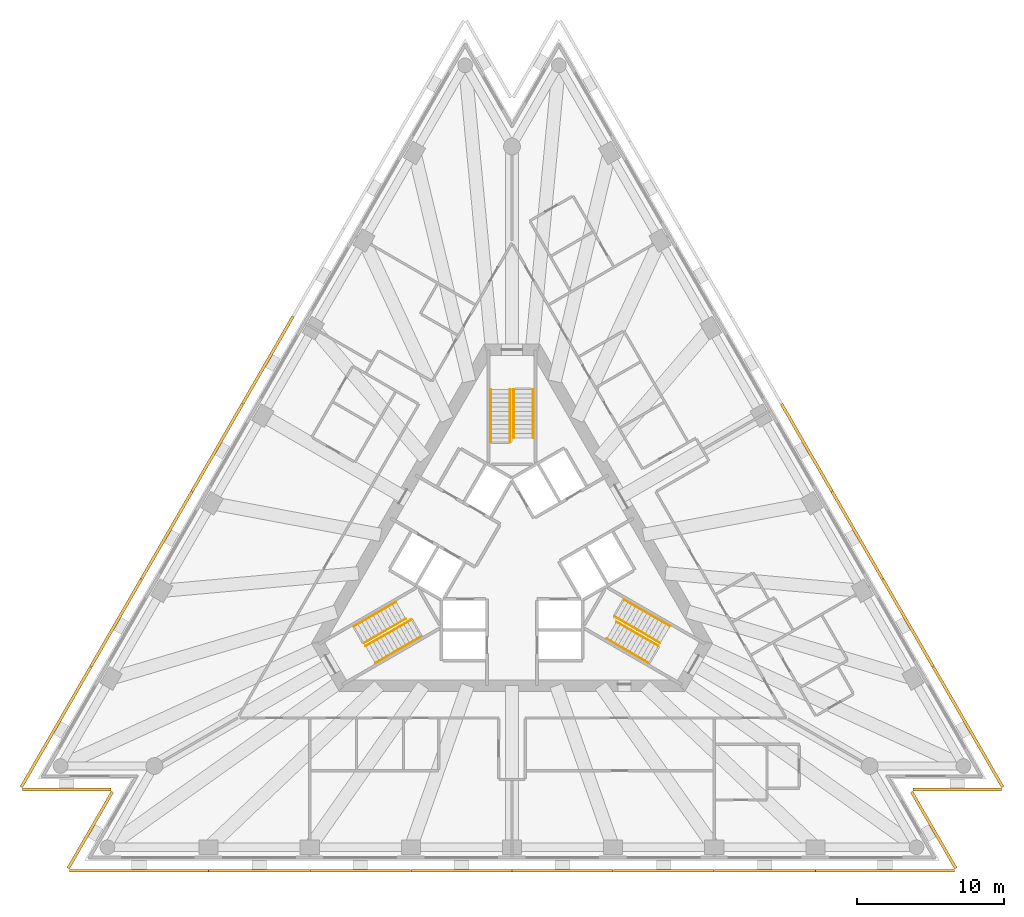
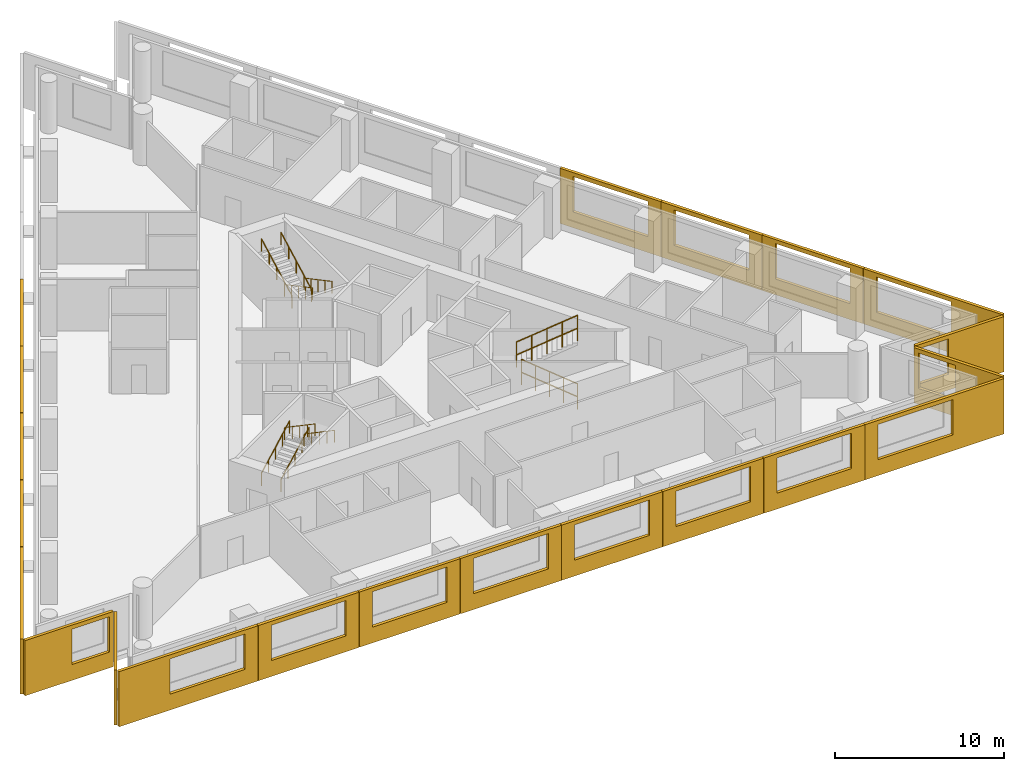
# One storey, part 9 of 10: 21 shading devices, 12 railings, 3 elements without a shape of their own.
"""IFC4 building model written with IfcOpenShell, lengths in metres."""

from ifc_helpers import new_model, si_unit, direction, frame, origin, origin_2d, place, context, subcontext, project, spatial, polyline, circle, outline, extrude, material, layer, layer_set, type_object, element, aggregate, save


model = new_model("IFC4")

# Units and contexts
model_context = context("Model", 3, precision=1e-05, world=origin(), true_north=direction((0.0, 1.0)))
body_context = subcontext(model_context, "Body", "Model", "MODEL_VIEW")
ifc_project = project(units=[si_unit("LENGTHUNIT", "METRE"), si_unit("AREAUNIT", "SQUARE_METRE"), si_unit("VOLUMEUNIT", "CUBIC_METRE"), si_unit("PLANEANGLEUNIT", "RADIAN"), si_unit("MASSUNIT", "GRAM", prefix="KILO")], contexts=[model_context])

# Site, building, storey
site_placement = place(None, origin())
site = spatial("IfcSite", under=ifc_project, at=site_placement, CompositionType="ELEMENT")
building_placement = place(site_placement, origin())
building = spatial("IfcBuilding", under=site, at=building_placement, Name="Triada Interchange Tower", CompositionType="ELEMENT")
storey_placement = place(building_placement, frame((0.0, 0.0, 124.300048828125)))
storey = spatial("IfcBuildingStorey", under=building, at=storey_placement, Name="L28", CompositionType="ELEMENT", Elevation=124.300048828125)

# Shading devices
ifc_material_1 = material(Name="Concrete C50/60 precast", Category="concrete")
ifc_layer_1 = layer(ifc_material_1, 0.02001953125, Name="Exposed aggregate face")
ifc_layer_2 = layer(ifc_material_1, 0.179931640625, Name="Precast concrete screen")
ifc_layer_set = layer_set([ifc_layer_1, ifc_layer_2], Name="Outer skin screen panel 3980")
shading_device_type = type_object("IfcShadingDeviceType", Name="Outer skin screen panel 3980", PredefinedType="SHUTTER", material=ifc_layer_set)
shading_device_1_placement = place(storey_placement, frame((-14.85009765625, 16.527099609375, -0.2900390625), z_axis=(0.0, 0.0, 1.0), x_axis=(-0.500025633803, -0.866010603596, 0.0)))
element("IfcShadingDevice", 1, at=shading_device_1_placement, inside=storey, type_object=shading_device_type, Name="Outer skin screen panel L28 04", PredefinedType="SHUTTER", context=body_context, shape_type="SweptSolid", body=[
    extrude(outline(polyline([(0.0, 0.0), (6.877685546875, 0.0), (6.877685546875, 3.97998046875), (0.0, 3.97998046875), (0.0, 0.0)]), holes=[polyline([(0.888916015625, 1.139892578125), (0.888916015625, 3.68994140625), (5.989013671875, 3.68994140625), (5.989013671875, 1.139892578125), (0.888916015625, 1.139892578125)])]), frame((0.0, 0.0, 0.0), z_axis=(0.0, -1.0, 0.0), x_axis=(1.0, 0.0, 0.0)), (0.0, 0.0, 1.0), 0.199951171875),
])
shading_device_2_placement = place(storey_placement, frame((-18.299072265625, 10.552978515625, -0.2900390625), z_axis=(0.0, 0.0, 1.0), x_axis=(-0.499919131929, -0.866072087953, 0.0)))
element("IfcShadingDevice", 2, at=shading_device_2_placement, inside=storey, type_object=shading_device_type, Name="Outer skin screen panel L28 05", PredefinedType="SHUTTER", context=body_context, shape_type="SweptSolid", body=[
    extrude(outline(polyline([(0.0, 0.0), (6.877197265625, 0.0), (6.877197265625, 3.97998046875), (0.0, 3.97998046875), (0.0, 0.0)]), holes=[polyline([(0.88916015625, 1.139892578125), (0.88916015625, 3.68994140625), (5.989013671875, 3.68994140625), (5.989013671875, 1.139892578125), (0.88916015625, 1.139892578125)])]), frame((0.0, 0.0, 0.0), z_axis=(0.0, -1.0, 0.0), x_axis=(1.0, 0.0, 0.0)), (0.0, 0.0, 1.0), 0.199951171875),
])
shading_device_3_placement = place(storey_placement, frame((-21.7470703125, 4.580078125, -0.2900390625), z_axis=(0.0, 0.0, 1.0), x_axis=(-0.499964153563, -0.866046098746, 0.0)))
element("IfcShadingDevice", 3, at=shading_device_3_placement, inside=storey, type_object=shading_device_type, Name="Outer skin screen panel L28 06", PredefinedType="SHUTTER", context=body_context, shape_type="SweptSolid", body=[
    extrude(outline(polyline([(0.0, 0.0), (6.87841796875, 0.0), (6.87841796875, 3.97998046875), (0.0, 3.97998046875), (0.0, 0.0)]), holes=[polyline([(0.88916015625, 1.139892578125), (0.88916015625, 3.68994140625), (5.9892578125, 3.68994140625), (5.9892578125, 1.139892578125), (0.88916015625, 1.139892578125)])]), frame((0.0, 0.0, 0.0), z_axis=(0.0, -1.0, 0.0), x_axis=(1.0, 0.0, 0.0)), (0.0, 0.0, 1.0), 0.199951171875),
])
shading_device_4_placement = place(storey_placement, frame((-25.196044921875, -1.39404296875, -0.2900390625), z_axis=(0.0, 0.0, 1.0), x_axis=(-0.499964153563, -0.866046098746, 0.0)))
element("IfcShadingDevice", 4, at=shading_device_4_placement, inside=storey, type_object=shading_device_type, Name="Outer skin screen panel L28 07", PredefinedType="SHUTTER", context=body_context, shape_type="SweptSolid", body=[
    extrude(outline(polyline([(0.0, 0.0), (6.87841796875, 0.0), (6.87841796875, 3.97998046875), (0.0, 3.97998046875), (0.0, 0.0)]), holes=[polyline([(0.889404296875, 1.139892578125), (0.889404296875, 3.68994140625), (5.989501953125, 3.68994140625), (5.989501953125, 1.139892578125), (0.889404296875, 1.139892578125)])]), frame((0.0, 0.0, 0.0), z_axis=(0.0, -1.0, 0.0), x_axis=(1.0, 0.0, 0.0)), (0.0, 0.0, 1.0), 0.199951171875),
])
shading_device_5_placement = place(storey_placement, frame((-28.64501953125, -7.367919921875, -0.2900390625), z_axis=(0.0, 0.0, 1.0), x_axis=(-0.500021309151, -0.866013100591, 0.0)))
element("IfcShadingDevice", 5, at=shading_device_5_placement, inside=storey, type_object=shading_device_type, Name="Outer skin screen panel L28 08", PredefinedType="SHUTTER", context=body_context, shape_type="SweptSolid", body=[
    extrude(outline(polyline([(0.0, 0.0), (9.4755859375, 0.0), (9.4755859375, 3.97998046875), (0.0, 3.97998046875), (0.0, 0.0)]), holes=[polyline([(0.888427734375, 1.139892578125), (0.888427734375, 3.68994140625), (5.988525390625, 3.68994140625), (5.988525390625, 1.139892578125), (0.888427734375, 1.139892578125)])]), frame((0.0, 0.0, 0.0), z_axis=(0.0, -1.0, 0.0), x_axis=(1.0, 0.0, 0.0)), (0.0, 0.0, 1.0), 0.199951171875),
])
shading_device_6_placement = place(storey_placement, frame((-33.3779296875, -15.5830078125, -0.2900390625), z_axis=(0.0, 0.0, 1.0), x_axis=(1.0, 0.0, 0.0)))
element("IfcShadingDevice", 6, at=shading_device_6_placement, inside=storey, type_object=shading_device_type, Name="Outer skin screen panel L28 09", PredefinedType="SHUTTER", context=body_context, shape_type="SweptSolid", body=[
    extrude(outline(polyline([(0.0, 0.0), (6.031982421875, 0.0), (6.031982421875, 3.97998046875), (0.0, 3.97998046875), (0.0, 0.0)]), holes=[polyline([(3.175048828125, 1.139892578125), (3.175048828125, 3.68994140625), (5.73193359375, 3.68994140625), (5.73193359375, 1.139892578125), (3.175048828125, 1.139892578125)])]), frame((0.0, 0.0, 0.0), z_axis=(0.0, -1.0, 0.0), x_axis=(1.0, 0.0, 0.0)), (0.0, 0.0, 1.0), 0.199951171875),
])
shading_device_7_placement = place(storey_placement, frame((-27.16796875, -15.89208984375, -0.2900390625), z_axis=(0.0, 0.0, 1.0), x_axis=(-0.500083355775, -0.865977272956, 0.0)))
element("IfcShadingDevice", 7, at=shading_device_7_placement, inside=storey, type_object=shading_device_type, Name="Outer skin screen panel L28 10", PredefinedType="SHUTTER", context=body_context, shape_type="SweptSolid", body=[
    extrude(outline(polyline([(0.0, 0.0), (6.03125, 0.0), (6.03125, 3.97998046875), (0.0, 3.97998046875), (0.0, 0.0)]), holes=[polyline([(0.300048828125, 1.139892578125), (0.300048828125, 3.68994140625), (2.2578125, 3.68994140625), (2.2578125, 1.139892578125), (0.300048828125, 1.139892578125)])]), frame((0.0, 0.0, 0.0), z_axis=(0.0, -1.0, 0.0), x_axis=(1.0, 0.0, 0.0)), (0.0, 0.0, 1.0), 0.199951171875),
])
shading_device_8_placement = place(storey_placement, frame((-30.178955078125, -21.1240234375, -0.2900390625), z_axis=(0.0, 0.0, 1.0), x_axis=(1.0, 0.0, 0.0)))
element("IfcShadingDevice", 8, at=shading_device_8_placement, inside=storey, type_object=shading_device_type, Name="Outer skin screen panel L28 11", PredefinedType="SHUTTER", context=body_context, shape_type="SweptSolid", body=[
    extrude(outline(polyline([(0.0, 0.0), (9.47607421875, 0.0), (9.47607421875, 3.97998046875), (0.0, 3.97998046875), (0.0, 0.0)]), holes=[polyline([(3.487060546875, 1.139892578125), (3.487060546875, 3.68994140625), (8.5869140625, 3.68994140625), (8.5869140625, 1.139892578125), (3.487060546875, 1.139892578125)])]), frame((0.0, 0.0, 0.0), z_axis=(0.0, -1.0, 0.0), x_axis=(1.0, 0.0, 0.0)), (0.0, 0.0, 1.0), 0.199951171875),
])
shading_device_9_placement = place(storey_placement, frame((-20.68310546875, -21.1240234375, -0.2900390625), z_axis=(0.0, 0.0, 1.0), x_axis=(1.0, 0.0, 0.0)))
element("IfcShadingDevice", 9, at=shading_device_9_placement, inside=storey, type_object=shading_device_type, Name="Outer skin screen panel L28 12", PredefinedType="SHUTTER", context=body_context, shape_type="SweptSolid", body=[
    extrude(outline(polyline([(0.0, 0.0), (6.877197265625, 0.0), (6.877197265625, 3.97998046875), (0.0, 3.97998046875), (0.0, 0.0)]), holes=[polyline([(0.889404296875, 1.139892578125), (0.889404296875, 3.68994140625), (5.9892578125, 3.68994140625), (5.9892578125, 1.139892578125), (0.889404296875, 1.139892578125)])]), frame((0.0, 0.0, 0.0), z_axis=(0.0, -1.0, 0.0), x_axis=(1.0, 0.0, 0.0)), (0.0, 0.0, 1.0), 0.199951171875),
])
shading_device_10_placement = place(storey_placement, frame((-13.785888671875, -21.1240234375, -0.2900390625), z_axis=(0.0, 0.0, 1.0), x_axis=(1.0, 0.0, 0.0)))
element("IfcShadingDevice", 10, at=shading_device_10_placement, inside=storey, type_object=shading_device_type, Name="Outer skin screen panel L28 13", PredefinedType="SHUTTER", context=body_context, shape_type="SweptSolid", body=[
    extrude(outline(polyline([(0.0, 0.0), (6.8779296875, 0.0), (6.8779296875, 3.97998046875), (0.0, 3.97998046875), (0.0, 0.0)]), holes=[polyline([(0.888427734375, 1.139892578125), (0.888427734375, 3.68994140625), (5.988525390625, 3.68994140625), (5.988525390625, 1.139892578125), (0.888427734375, 1.139892578125)])]), frame((0.0, 0.0, 0.0), z_axis=(0.0, -1.0, 0.0), x_axis=(1.0, 0.0, 0.0)), (0.0, 0.0, 1.0), 0.199951171875),
])
shading_device_11_placement = place(storey_placement, frame((-6.887939453125, -21.1240234375, -0.2900390625), z_axis=(0.0, 0.0, 1.0), x_axis=(1.0, 0.0, 0.0)))
element("IfcShadingDevice", 11, at=shading_device_11_placement, inside=storey, type_object=shading_device_type, Name="Outer skin screen panel L28 14", PredefinedType="SHUTTER", context=body_context, shape_type="SweptSolid", body=[
    extrude(outline(polyline([(0.0, 0.0), (6.8779296875, 0.0), (6.8779296875, 3.97998046875), (0.0, 3.97998046875), (0.0, 0.0)]), holes=[polyline([(0.888916015625, 1.139892578125), (0.888916015625, 3.68994140625), (5.98876953125, 3.68994140625), (5.98876953125, 1.139892578125), (0.888916015625, 1.139892578125)])]), frame((0.0, 0.0, 0.0), z_axis=(0.0, -1.0, 0.0), x_axis=(1.0, 0.0, 0.0)), (0.0, 0.0, 1.0), 0.199951171875),
])
shading_device_12_placement = place(storey_placement, frame((0.010009765625, -21.1240234375, -0.2900390625), z_axis=(0.0, 0.0, 1.0), x_axis=(1.0, 0.0, 0.0)))
element("IfcShadingDevice", 12, at=shading_device_12_placement, inside=storey, type_object=shading_device_type, Name="Outer skin screen panel L28 15", PredefinedType="SHUTTER", context=body_context, shape_type="SweptSolid", body=[
    extrude(outline(polyline([(0.0, 0.0), (6.8779296875, 0.0), (6.8779296875, 3.97998046875), (0.0, 3.97998046875), (0.0, 0.0)]), holes=[polyline([(0.888916015625, 1.139892578125), (0.888916015625, 3.68994140625), (5.989013671875, 3.68994140625), (5.989013671875, 1.139892578125), (0.888916015625, 1.139892578125)])]), frame((0.0, 0.0, 0.0), z_axis=(0.0, -1.0, 0.0), x_axis=(1.0, 0.0, 0.0)), (0.0, 0.0, 1.0), 0.199951171875),
])
shading_device_13_placement = place(storey_placement, frame((6.907958984375, -21.1240234375, -0.2900390625), z_axis=(0.0, 0.0, 1.0), x_axis=(1.0, 0.0, 0.0)))
element("IfcShadingDevice", 13, at=shading_device_13_placement, inside=storey, type_object=shading_device_type, Name="Outer skin screen panel L28 16", PredefinedType="SHUTTER", context=body_context, shape_type="SweptSolid", body=[
    extrude(outline(polyline([(0.0, 0.0), (6.876953125, 0.0), (6.876953125, 3.97998046875), (0.0, 3.97998046875), (0.0, 0.0)]), holes=[polyline([(0.88916015625, 1.139892578125), (0.88916015625, 3.68994140625), (5.9892578125, 3.68994140625), (5.9892578125, 1.139892578125), (0.88916015625, 1.139892578125)])]), frame((0.0, 0.0, 0.0), z_axis=(0.0, -1.0, 0.0), x_axis=(1.0, 0.0, 0.0)), (0.0, 0.0, 1.0), 0.199951171875),
])
shading_device_14_placement = place(storey_placement, frame((13.804931640625, -21.1240234375, -0.2900390625), z_axis=(0.0, 0.0, 1.0), x_axis=(1.0, 0.0, 0.0)))
element("IfcShadingDevice", 14, at=shading_device_14_placement, inside=storey, type_object=shading_device_type, Name="Outer skin screen panel L28 17", PredefinedType="SHUTTER", context=body_context, shape_type="SweptSolid", body=[
    extrude(outline(polyline([(0.0, 0.0), (6.878173828125, 0.0), (6.878173828125, 3.97998046875), (0.0, 3.97998046875), (0.0, 0.0)]), holes=[polyline([(0.888427734375, 1.139892578125), (0.888427734375, 3.68994140625), (5.988525390625, 3.68994140625), (5.988525390625, 1.139892578125), (0.888427734375, 1.139892578125)])]), frame((0.0, 0.0, 0.0), z_axis=(0.0, -1.0, 0.0), x_axis=(1.0, 0.0, 0.0)), (0.0, 0.0, 1.0), 0.199951171875),
])
shading_device_15_placement = place(storey_placement, frame((20.702880859375, -21.1240234375, -0.2900390625), z_axis=(0.0, 0.0, 1.0), x_axis=(1.0, 0.0, 0.0)))
element("IfcShadingDevice", 15, at=shading_device_15_placement, inside=storey, type_object=shading_device_type, Name="Outer skin screen panel L28 18", PredefinedType="SHUTTER", context=body_context, shape_type="SweptSolid", body=[
    extrude(outline(polyline([(0.0, 0.0), (9.47607421875, 0.0), (9.47607421875, 3.97998046875), (0.0, 3.97998046875), (0.0, 0.0)]), holes=[polyline([(0.888916015625, 1.139892578125), (0.888916015625, 3.68994140625), (5.98876953125, 3.68994140625), (5.98876953125, 1.139892578125), (0.888916015625, 1.139892578125)])]), frame((0.0, 0.0, 0.0), z_axis=(0.0, -1.0, 0.0), x_axis=(1.0, 0.0, 0.0)), (0.0, 0.0, 1.0), 0.199951171875),
])
shading_device_16_placement = place(storey_placement, frame((30.18408203125, -21.114990234375, -0.2900390625), z_axis=(0.0, 0.0, 1.0), x_axis=(-0.500083355775, 0.865977272956, 0.0)))
element("IfcShadingDevice", 16, at=shading_device_16_placement, inside=storey, type_object=shading_device_type, Name="Outer skin screen panel L28 19", PredefinedType="SHUTTER", context=body_context, shape_type="SweptSolid", body=[
    extrude(outline(polyline([(0.0, 0.0), (6.03125, 0.0), (6.03125, 3.97998046875), (0.0, 3.97998046875), (0.0, 0.0)]), holes=[polyline([(3.17529296875, 1.139892578125), (3.17529296875, 3.68994140625), (5.73193359375, 3.68994140625), (5.73193359375, 1.139892578125), (3.17529296875, 1.139892578125)])]), frame((0.0, 0.0, 0.0), z_axis=(0.0, -1.0, 0.0), x_axis=(1.0, 0.0, 0.0)), (0.0, 0.0, 1.0), 0.199951171875),
])
shading_device_17_placement = place(storey_placement, frame((27.345947265625, -15.5830078125, -0.2900390625), z_axis=(0.0, 0.0, 1.0), x_axis=(1.0, 0.0, 0.0)))
element("IfcShadingDevice", 17, at=shading_device_17_placement, inside=storey, type_object=shading_device_type, Name="Outer skin screen panel L28 20", PredefinedType="SHUTTER", context=body_context, shape_type="SweptSolid", body=[
    extrude(outline(polyline([(0.0, 0.0), (6.031982421875, 0.0), (6.031982421875, 3.97998046875), (0.0, 3.97998046875), (0.0, 0.0)]), holes=[polyline([(0.300048828125, 1.139892578125), (0.300048828125, 3.68994140625), (2.258056640625, 3.68994140625), (2.258056640625, 1.139892578125), (0.300048828125, 1.139892578125)])]), frame((0.0, 0.0, 0.0), z_axis=(0.0, -1.0, 0.0), x_axis=(1.0, 0.0, 0.0)), (0.0, 0.0, 1.0), 0.199951171875),
])
shading_device_18_placement = place(storey_placement, frame((33.383056640625, -15.573974609375, -0.2900390625), z_axis=(0.0, 0.0, 1.0), x_axis=(-0.500021309151, 0.866013100591, 0.0)))
element("IfcShadingDevice", 18, at=shading_device_18_placement, inside=storey, type_object=shading_device_type, Name="Outer skin screen panel L28 21", PredefinedType="SHUTTER", context=body_context, shape_type="SweptSolid", body=[
    extrude(outline(polyline([(0.0, 0.0), (9.4755859375, 0.0), (9.4755859375, 3.97998046875), (0.0, 3.97998046875), (0.0, 0.0)]), holes=[polyline([(3.4873046875, 1.139892578125), (3.4873046875, 3.68994140625), (8.58740234375, 3.68994140625), (8.58740234375, 1.139892578125), (3.4873046875, 1.139892578125)])]), frame((0.0, 0.0, 0.0), z_axis=(0.0, -1.0, 0.0), x_axis=(1.0, 0.0, 0.0)), (0.0, 0.0, 1.0), 0.199951171875),
])
shading_device_19_placement = place(storey_placement, frame((28.635009765625, -7.35107421875, -0.2900390625), z_axis=(0.0, 0.0, 1.0), x_axis=(-0.499964153563, 0.866046098746, 0.0)))
element("IfcShadingDevice", 19, at=shading_device_19_placement, inside=storey, type_object=shading_device_type, Name="Outer skin screen panel L28 22", PredefinedType="SHUTTER", context=body_context, shape_type="SweptSolid", body=[
    extrude(outline(polyline([(0.0, 0.0), (6.87841796875, 0.0), (6.87841796875, 3.97998046875), (0.0, 3.97998046875), (0.0, 0.0)]), holes=[polyline([(0.888427734375, 1.139892578125), (0.888427734375, 3.68994140625), (5.98828125, 3.68994140625), (5.98828125, 1.139892578125), (0.888427734375, 1.139892578125)])]), frame((0.0, 0.0, 0.0), z_axis=(0.0, -1.0, 0.0), x_axis=(1.0, 0.0, 0.0)), (0.0, 0.0, 1.0), 0.199951171875),
])
shading_device_20_placement = place(storey_placement, frame((25.18603515625, -1.376953125, -0.2900390625), z_axis=(0.0, 0.0, 1.0), x_axis=(-0.499964153563, 0.866046098746, 0.0)))
element("IfcShadingDevice", 20, at=shading_device_20_placement, inside=storey, type_object=shading_device_type, Name="Outer skin screen panel L28 23", PredefinedType="SHUTTER", context=body_context, shape_type="SweptSolid", body=[
    extrude(outline(polyline([(0.0, 0.0), (6.87841796875, 0.0), (6.87841796875, 3.97998046875), (0.0, 3.97998046875), (0.0, 0.0)]), holes=[polyline([(0.888427734375, 1.139892578125), (0.888427734375, 3.68994140625), (5.988525390625, 3.68994140625), (5.988525390625, 1.139892578125), (0.888427734375, 1.139892578125)])]), frame((0.0, 0.0, 0.0), z_axis=(0.0, -1.0, 0.0), x_axis=(1.0, 0.0, 0.0)), (0.0, 0.0, 1.0), 0.199951171875),
])
shading_device_21_placement = place(storey_placement, frame((21.737060546875, 4.596923828125, -0.2900390625), z_axis=(0.0, 0.0, 1.0), x_axis=(-0.499919131929, 0.866072087953, 0.0)))
element("IfcShadingDevice", 21, at=shading_device_21_placement, inside=storey, type_object=shading_device_type, Name="Outer skin screen panel L28 24", PredefinedType="SHUTTER", context=body_context, shape_type="SweptSolid", body=[
    extrude(outline(polyline([(0.0, 0.0), (6.877197265625, 0.0), (6.877197265625, 3.97998046875), (0.0, 3.97998046875), (0.0, 0.0)]), holes=[polyline([(0.888671875, 1.139892578125), (0.888671875, 3.68994140625), (5.98876953125, 3.68994140625), (5.98876953125, 1.139892578125), (0.888671875, 1.139892578125)])]), frame((0.0, 0.0, 0.0), z_axis=(0.0, -1.0, 0.0), x_axis=(1.0, 0.0, 0.0)), (0.0, 0.0, 1.0), 0.199951171875),
])

# Stair, railings
ifc_material_2 = material(Name="Concrete C35/45", Category="concrete")
stair_type = type_object("IfcStairType", Name="HALF TURN STAIR 1400", PredefinedType="HALF_TURN_STAIR", material=ifc_material_2)
stair_1_placement = place(storey_placement, origin())
stair_1 = element("IfcStair", 22, at=stair_1_placement, inside=storey, type_object=stair_type, Name="Exit stair S26-1", PredefinedType="HALF_TURN_STAIR")
ifc_material_3 = material(Name="Stainless steel 1.4301", Category="steel")
railing_type = type_object("IfcRailingType", Name="STAIR HANDRAIL 900", PredefinedType="HANDRAIL", material=ifc_material_3)
railing_1_placement = place(storey_placement, frame((1.449951171875, 11.60009765625, 0.159912109375)))
railing_1 = element("IfcRailing", 23, at=railing_1_placement, type_object=railing_type, Name="Handrail S26-1 1W", PredefinedType="HANDRAIL", context=body_context, shape_type="SweptSolid", body=[
    extrude(circle(Radius=0.02392578125, at=origin_2d()), frame((0.0, 0.0, 0.8759765625), z_axis=(0.0, -0.882354748157, 0.47058484719), x_axis=(1.0, 0.0, 0.0)), (0.0, 0.0, 1.0), 3.739990234375),
    extrude(circle(Radius=0.02099609375, at=origin_2d()), origin(), (0.0, 0.0, 1.0), 0.851806640625),
    extrude(circle(Radius=0.02099609375, at=origin_2d()), frame((0.0, -0.824951171875, 0.43994140625)), (0.0, 0.0, 1.0), 0.851806640625),
    extrude(circle(Radius=0.02099609375, at=origin_2d()), frame((0.0, -1.64990234375, 0.8798828125)), (0.0, 0.0, 1.0), 0.851806640625),
    extrude(circle(Radius=0.02099609375, at=origin_2d()), frame((0.0, -2.47509765625, 1.320068359375)), (0.0, 0.0, 1.0), 0.851806640625),
    extrude(circle(Radius=0.02099609375, at=origin_2d()), frame((0.0, -3.300048828125, 1.760009765625)), (0.0, 0.0, 1.0), 0.851806640625),
])
railing_2_placement = place(storey_placement, frame((0.1201171875, 11.60009765625, 0.159912109375)))
railing_2 = element("IfcRailing", 24, at=railing_2_placement, type_object=railing_type, Name="Handrail S26-1 1C", PredefinedType="HANDRAIL", context=body_context, shape_type="SweptSolid", body=[
    extrude(circle(Radius=0.02392578125, at=origin_2d()), frame((0.0, 0.0, 0.8759765625), z_axis=(0.0, -0.882354748157, 0.47058484719), x_axis=(1.0, 0.0, 0.0)), (0.0, 0.0, 1.0), 3.739990234375),
    extrude(circle(Radius=0.02099609375, at=origin_2d()), origin(), (0.0, 0.0, 1.0), 0.851806640625),
    extrude(circle(Radius=0.02099609375, at=origin_2d()), frame((0.0, -0.824951171875, 0.43994140625)), (0.0, 0.0, 1.0), 0.851806640625),
    extrude(circle(Radius=0.02099609375, at=origin_2d()), frame((0.0, -1.64990234375, 0.8798828125)), (0.0, 0.0, 1.0), 0.851806640625),
    extrude(circle(Radius=0.02099609375, at=origin_2d()), frame((0.0, -2.47509765625, 1.320068359375)), (0.0, 0.0, 1.0), 0.851806640625),
    extrude(circle(Radius=0.02099609375, at=origin_2d()), frame((0.0, -3.300048828125, 1.760009765625)), (0.0, 0.0, 1.0), 0.851806640625),
])
railing_3_placement = place(storey_placement, frame((-1.449951171875, 8.0, 2.079833984375)))
railing_3 = element("IfcRailing", 25, at=railing_3_placement, type_object=railing_type, Name="Handrail S26-1 2W", PredefinedType="HANDRAIL", context=body_context, shape_type="SweptSolid", body=[
    extrude(circle(Radius=0.02392578125, at=origin_2d()), frame((0.0, 0.0, 0.8759765625), z_axis=(0.0, 0.882341346394, 0.470609974867), x_axis=(-1.0, 0.0, 0.0)), (0.0, 0.0, 1.0), 4.080078125),
    extrude(circle(Radius=0.02099609375, at=origin_2d()), origin(), (0.0, 0.0, 1.0), 0.851806640625),
    extrude(circle(Radius=0.02099609375, at=origin_2d()), frame((0.0, 0.89990234375, 0.47998046875)), (0.0, 0.0, 1.0), 0.851806640625),
    extrude(circle(Radius=0.02099609375, at=origin_2d()), frame((0.0, 1.800048828125, 0.9599609375)), (0.0, 0.0, 1.0), 0.851806640625),
    extrude(circle(Radius=0.02099609375, at=origin_2d()), frame((0.0, 2.7001953125, 1.440185546875)), (0.0, 0.0, 1.0), 0.851806640625),
    extrude(circle(Radius=0.02099609375, at=origin_2d()), frame((0.0, 3.60009765625, 1.920166015625)), (0.0, 0.0, 1.0), 0.851806640625),
])
railing_4_placement = place(storey_placement, frame((-0.1201171875, 8.0, 2.079833984375)))
railing_4 = element("IfcRailing", 26, at=railing_4_placement, type_object=railing_type, Name="Handrail S26-1 2C", PredefinedType="HANDRAIL", context=body_context, shape_type="SweptSolid", body=[
    extrude(circle(Radius=0.02392578125, at=origin_2d()), frame((0.0, 0.0, 0.8759765625), z_axis=(0.0, 0.882341346394, 0.470609974867), x_axis=(-1.0, 0.0, 0.0)), (0.0, 0.0, 1.0), 4.080078125),
    extrude(circle(Radius=0.02099609375, at=origin_2d()), origin(), (0.0, 0.0, 1.0), 0.851806640625),
    extrude(circle(Radius=0.02099609375, at=origin_2d()), frame((0.0, 0.89990234375, 0.47998046875)), (0.0, 0.0, 1.0), 0.851806640625),
    extrude(circle(Radius=0.02099609375, at=origin_2d()), frame((0.0, 1.800048828125, 0.9599609375)), (0.0, 0.0, 1.0), 0.851806640625),
    extrude(circle(Radius=0.02099609375, at=origin_2d()), frame((0.0, 2.7001953125, 1.440185546875)), (0.0, 0.0, 1.0), 0.851806640625),
    extrude(circle(Radius=0.02099609375, at=origin_2d()), frame((0.0, 3.60009765625, 1.920166015625)), (0.0, 0.0, 1.0), 0.851806640625),
])
aggregate(stair_1, [railing_1, railing_2, railing_3, railing_4])

stair_2_placement = place(storey_placement, origin())
stair_2 = element("IfcStair", 27, at=stair_2_placement, inside=storey, type_object=stair_type, Name="Exit stair S26-2", PredefinedType="HALF_TURN_STAIR")
railing_5_placement = place(storey_placement, frame((-10.77099609375, -4.5439453125, 0.159912109375)))
railing_5 = element("IfcRailing", 28, at=railing_5_placement, type_object=railing_type, Name="Handrail S26-2 1W", PredefinedType="HANDRAIL", context=body_context, shape_type="SweptSolid", body=[
    extrude(circle(Radius=0.02392578125, at=origin_2d()), frame((0.0, 0.0, 0.8759765625), z_axis=(0.764150854273, 0.441152526326, 0.470593158077), x_axis=(-0.499974350878, 0.866040211805, 0.0)), (0.0, 0.0, 1.0), 3.739990234375),
    extrude(circle(Radius=0.02099609375, at=origin_2d()), origin(), (0.0, 0.0, 1.0), 0.851806640625),
    extrude(circle(Radius=0.02099609375, at=origin_2d()), frame((0.71435546875, 0.41259765625, 0.43994140625)), (0.0, 0.0, 1.0), 0.851806640625),
    extrude(circle(Radius=0.02099609375, at=origin_2d()), frame((1.428955078125, 0.824951171875, 0.8798828125)), (0.0, 0.0, 1.0), 0.851806640625),
    extrude(circle(Radius=0.02099609375, at=origin_2d()), frame((2.1435546875, 1.2373046875, 1.320068359375)), (0.0, 0.0, 1.0), 0.851806640625),
    extrude(circle(Radius=0.02099609375, at=origin_2d()), frame((2.85791015625, 1.64990234375, 1.760009765625)), (0.0, 0.0, 1.0), 0.851806640625),
])
railing_6_placement = place(storey_placement, frame((-10.10595703125, -5.696044921875, 0.159912109375)))
railing_6 = element("IfcRailing", 29, at=railing_6_placement, type_object=railing_type, Name="Handrail S26-2 1C", PredefinedType="HANDRAIL", context=body_context, shape_type="SweptSolid", body=[
    extrude(circle(Radius=0.02392578125, at=origin_2d()), frame((0.0, 0.0, 0.8759765625), z_axis=(0.76412884773, 0.441205098395, 0.470579605611), x_axis=(-0.50002983664, 0.866008176907, 0.0)), (0.0, 0.0, 1.0), 3.739990234375),
    extrude(circle(Radius=0.02099609375, at=origin_2d()), origin(), (0.0, 0.0, 1.0), 0.851806640625),
    extrude(circle(Radius=0.02099609375, at=origin_2d()), frame((0.71435546875, 0.41259765625, 0.43994140625)), (0.0, 0.0, 1.0), 0.851806640625),
    extrude(circle(Radius=0.02099609375, at=origin_2d()), frame((1.428955078125, 0.8251953125, 0.8798828125)), (0.0, 0.0, 1.0), 0.851806640625),
    extrude(circle(Radius=0.02099609375, at=origin_2d()), frame((2.1435546875, 1.237548828125, 1.320068359375)), (0.0, 0.0, 1.0), 0.851806640625),
    extrude(circle(Radius=0.02099609375, at=origin_2d()), frame((2.85791015625, 1.650146484375, 1.760009765625)), (0.0, 0.0, 1.0), 0.851806640625),
])
railing_7_placement = place(storey_placement, frame((-6.202880859375, -5.256103515625, 2.079833984375)))
railing_7 = element("IfcRailing", 30, at=railing_7_placement, type_object=railing_type, Name="Handrail S26-2 2W", PredefinedType="HANDRAIL", context=body_context, shape_type="SweptSolid", body=[
    extrude(circle(Radius=0.02392578125, at=origin_2d()), frame((0.0, 0.0, 0.8759765625), z_axis=(-0.764189758314, -0.441090424232, 0.470588196769), x_axis=(0.499902469156, -0.866081705922, 0.0)), (0.0, 0.0, 1.0), 4.080322265625),
    extrude(circle(Radius=0.02099609375, at=origin_2d()), origin(), (0.0, 0.0, 1.0), 0.851806640625),
    extrude(circle(Radius=0.02099609375, at=origin_2d()), frame((-0.779541015625, -0.449951171875, 0.47998046875)), (0.0, 0.0, 1.0), 0.851806640625),
    extrude(circle(Radius=0.02099609375, at=origin_2d()), frame((-1.55908203125, -0.89990234375, 0.9599609375)), (0.0, 0.0, 1.0), 0.851806640625),
    extrude(circle(Radius=0.02099609375, at=origin_2d()), frame((-2.338623046875, -1.349853515625, 1.440185546875)), (0.0, 0.0, 1.0), 0.851806640625),
    extrude(circle(Radius=0.02099609375, at=origin_2d()), frame((-3.1181640625, -1.7998046875, 1.920166015625)), (0.0, 0.0, 1.0), 0.851806640625),
])
railing_8_placement = place(storey_placement, frame((-6.867919921875, -4.10400390625, 2.079833984375)))
railing_8 = element("IfcRailing", 31, at=railing_8_placement, type_object=railing_type, Name="Handrail S26-2 2C", PredefinedType="HANDRAIL", context=body_context, shape_type="SweptSolid", body=[
    extrude(circle(Radius=0.02392578125, at=origin_2d()), frame((0.0, 0.0, 0.8759765625), z_axis=(-0.764169589359, -0.441138614339, 0.470575776723), x_axis=(0.49995333141, -0.866052346231, 0.0)), (0.0, 0.0, 1.0), 4.08056640625),
    extrude(circle(Radius=0.02099609375, at=origin_2d()), origin(), (0.0, 0.0, 1.0), 0.851806640625),
    extrude(circle(Radius=0.02099609375, at=origin_2d()), frame((-0.779541015625, -0.449951171875, 0.47998046875)), (0.0, 0.0, 1.0), 0.851806640625),
    extrude(circle(Radius=0.02099609375, at=origin_2d()), frame((-1.55908203125, -0.89990234375, 0.9599609375)), (0.0, 0.0, 1.0), 0.851806640625),
    extrude(circle(Radius=0.02099609375, at=origin_2d()), frame((-2.338623046875, -1.35009765625, 1.440185546875)), (0.0, 0.0, 1.0), 0.851806640625),
    extrude(circle(Radius=0.02099609375, at=origin_2d()), frame((-3.1181640625, -1.800048828125, 1.920166015625)), (0.0, 0.0, 1.0), 0.851806640625),
])
aggregate(stair_2, [railing_5, railing_6, railing_7, railing_8])

stair_3_placement = place(storey_placement, origin())
stair_3 = element("IfcStair", 32, at=stair_3_placement, inside=storey, type_object=stair_type, Name="Exit stair S26-3", PredefinedType="HALF_TURN_STAIR")
railing_9_placement = place(storey_placement, frame((9.321044921875, -7.055908203125, 0.159912109375)))
railing_9 = element("IfcRailing", 33, at=railing_9_placement, type_object=railing_type, Name="Handrail S26-3 1W", PredefinedType="HANDRAIL", context=body_context, shape_type="SweptSolid", body=[
    extrude(circle(Radius=0.02392578125, at=origin_2d()), frame((0.0, 0.0, 0.8759765625), z_axis=(-0.764178012919, 0.441130521168, 0.470569684388), x_axis=(-0.499942318283, -0.866058703778, 0.0)), (0.0, 0.0, 1.0), 3.740234375),
    extrude(circle(Radius=0.02099609375, at=origin_2d()), origin(), (0.0, 0.0, 1.0), 0.851806640625),
    extrude(circle(Radius=0.02099609375, at=origin_2d()), frame((-0.714599609375, 0.41259765625, 0.43994140625)), (0.0, 0.0, 1.0), 0.851806640625),
    extrude(circle(Radius=0.02099609375, at=origin_2d()), frame((-1.42919921875, 0.824951171875, 0.8798828125)), (0.0, 0.0, 1.0), 0.851806640625),
    extrude(circle(Radius=0.02099609375, at=origin_2d()), frame((-2.1435546875, 1.2373046875, 1.320068359375)), (0.0, 0.0, 1.0), 0.851806640625),
    extrude(circle(Radius=0.02099609375, at=origin_2d()), frame((-2.858154296875, 1.64990234375, 1.760009765625)), (0.0, 0.0, 1.0), 0.851806640625),
])
railing_10_placement = place(storey_placement, frame((9.986083984375, -5.904052734375, 0.159912109375)))
railing_10 = element("IfcRailing", 34, at=railing_10_placement, type_object=railing_type, Name="Handrail S26-3 1C", PredefinedType="HANDRAIL", context=body_context, shape_type="SweptSolid", body=[
    extrude(circle(Radius=0.02392578125, at=origin_2d()), frame((0.0, 0.0, 0.8759765625), z_axis=(-0.764156007789, 0.441183091881, 0.47055613395), x_axis=(-0.49999780286, -0.8660266723, 0.0)), (0.0, 0.0, 1.0), 3.740234375),
    extrude(circle(Radius=0.02099609375, at=origin_2d()), origin(), (0.0, 0.0, 1.0), 0.851806640625),
    extrude(circle(Radius=0.02099609375, at=origin_2d()), frame((-0.714599609375, 0.41259765625, 0.43994140625)), (0.0, 0.0, 1.0), 0.851806640625),
    extrude(circle(Radius=0.02099609375, at=origin_2d()), frame((-1.42919921875, 0.8251953125, 0.8798828125)), (0.0, 0.0, 1.0), 0.851806640625),
    extrude(circle(Radius=0.02099609375, at=origin_2d()), frame((-2.1435546875, 1.237548828125, 1.320068359375)), (0.0, 0.0, 1.0), 0.851806640625),
    extrude(circle(Radius=0.02099609375, at=origin_2d()), frame((-2.858154296875, 1.650146484375, 1.760009765625)), (0.0, 0.0, 1.0), 0.851806640625),
])
railing_11_placement = place(storey_placement, frame((7.653076171875, -2.743896484375, 2.079833984375)))
railing_11 = element("IfcRailing", 35, at=railing_11_placement, type_object=railing_type, Name="Handrail S26-3 2W", PredefinedType="HANDRAIL", context=body_context, shape_type="SweptSolid", body=[
    extrude(circle(Radius=0.02392578125, at=origin_2d()), frame((0.0, 0.0, 0.8759765625), z_axis=(0.76414469501, -0.441158784458, 0.470597292793), x_axis=(0.499982693035, 0.866035395735, 0.0)), (0.0, 0.0, 1.0), 4.080322265625),
    extrude(circle(Radius=0.02099609375, at=origin_2d()), origin(), (0.0, 0.0, 1.0), 0.851806640625),
    extrude(circle(Radius=0.02099609375, at=origin_2d()), frame((0.779541015625, -0.449951171875, 0.47998046875)), (0.0, 0.0, 1.0), 0.851806640625),
    extrude(circle(Radius=0.02099609375, at=origin_2d()), frame((1.55908203125, -0.89990234375, 0.9599609375)), (0.0, 0.0, 1.0), 0.851806640625),
    extrude(circle(Radius=0.02099609375, at=origin_2d()), frame((2.33837890625, -1.35009765625, 1.440185546875)), (0.0, 0.0, 1.0), 0.851806640625),
    extrude(circle(Radius=0.02099609375, at=origin_2d()), frame((3.117919921875, -1.800048828125, 1.920166015625)), (0.0, 0.0, 1.0), 0.851806640625),
])
railing_12_placement = place(storey_placement, frame((6.988037109375, -3.89599609375, 2.079833984375)))
railing_12 = element("IfcRailing", 36, at=railing_12_placement, type_object=railing_type, Name="Handrail S26-3 2C", PredefinedType="HANDRAIL", context=body_context, shape_type="SweptSolid", body=[
    extrude(circle(Radius=0.02392578125, at=origin_2d()), frame((0.0, 0.0, 0.8759765625), z_axis=(0.76414469501, -0.441158784458, 0.470597292793), x_axis=(0.499982693035, 0.866035395735, 0.0)), (0.0, 0.0, 1.0), 4.080322265625),
    extrude(circle(Radius=0.02099609375, at=origin_2d()), origin(), (0.0, 0.0, 1.0), 0.851806640625),
    extrude(circle(Radius=0.02099609375, at=origin_2d()), frame((0.779541015625, -0.449951171875, 0.47998046875)), (0.0, 0.0, 1.0), 0.851806640625),
    extrude(circle(Radius=0.02099609375, at=origin_2d()), frame((1.55908203125, -0.89990234375, 0.9599609375)), (0.0, 0.0, 1.0), 0.851806640625),
    extrude(circle(Radius=0.02099609375, at=origin_2d()), frame((2.33837890625, -1.35009765625, 1.440185546875)), (0.0, 0.0, 1.0), 0.851806640625),
    extrude(circle(Radius=0.02099609375, at=origin_2d()), frame((3.117919921875, -1.800048828125, 1.920166015625)), (0.0, 0.0, 1.0), 0.851806640625),
])
aggregate(stair_3, [railing_9, railing_10, railing_11, railing_12])

save(model, "model.ifc")
